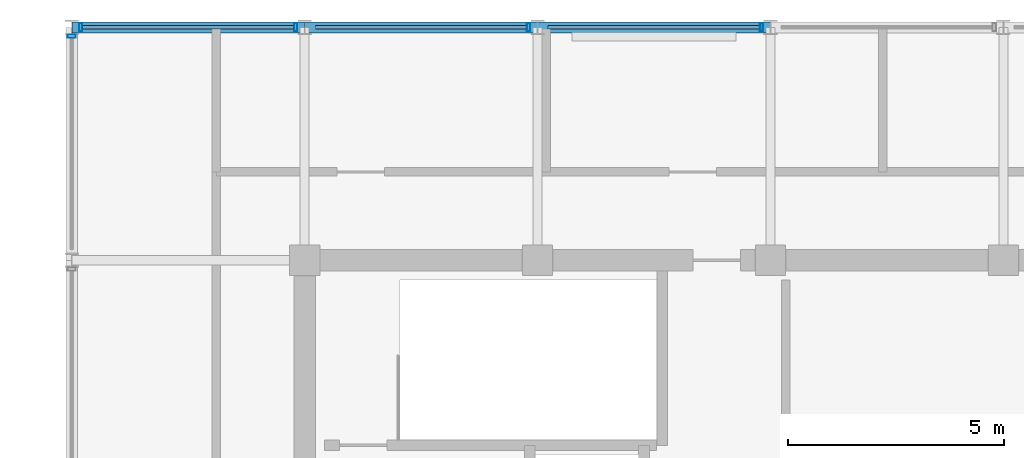
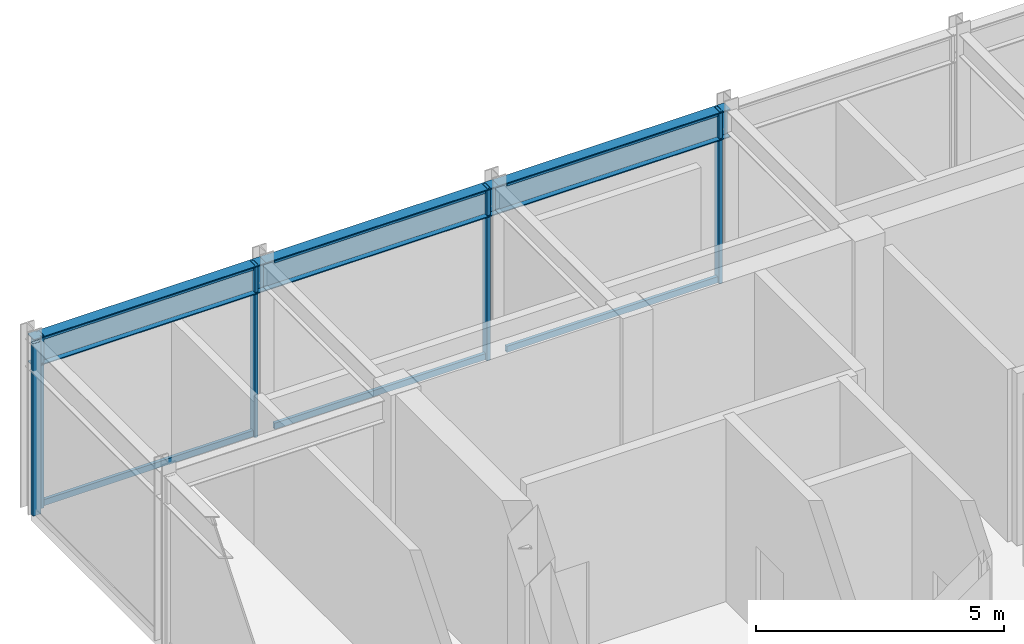
# One storey, part 12 of 18: 11 members, 3 beams, 2 elements without a shape of their own.
"""IFC4 building model written with IfcOpenShell, lengths in metres."""

from ifc_helpers import new_model, si_unit, direction, frame, origin, origin_2d, place, context, subcontext, project, spatial, hollow_rectangle, i_section, extrude, material, layer, layer_set, material_profile, profile_set, type_object, element, aggregate, save


model = new_model("IFC4")

# Units and contexts
model_context = context("Model", 3, precision=1e-05, world=origin(), true_north=direction((0.0, 1.0)))
body_context = subcontext(model_context, "Body", "Model", "MODEL_VIEW")
ifc_project = project(units=[si_unit("LENGTHUNIT", "METRE"), si_unit("AREAUNIT", "SQUARE_METRE"), si_unit("VOLUMEUNIT", "CUBIC_METRE"), si_unit("PLANEANGLEUNIT", "RADIAN"), si_unit("MASSUNIT", "GRAM", prefix="KILO")], contexts=[model_context])

# Site, building, storey
site_placement = place(None, origin())
site = spatial("IfcSite", under=ifc_project, at=site_placement, CompositionType="ELEMENT")
building_placement = place(site_placement, origin())
building = spatial("IfcBuilding", under=site, at=building_placement, Name="Surkhivell Harbour Commons", CompositionType="ELEMENT")
storey_placement = place(building_placement, frame((0.0, 0.0, 360.0)))
storey = spatial("IfcBuildingStorey", under=building, at=storey_placement, Name="L93", CompositionType="ELEMENT", Elevation=360.0)

# Beams
ifc_material_1 = material(Name="Steel S355", Category="steel")
ifc_material_profile_1 = material_profile(ifc_material_1, i_section(OverallWidth=0.256103515625, OverallDepth=0.693115234375, WebThickness=0.014404296875, FlangeThickness=0.023681640625, at=origin_2d()), Name="UB686x254x170")
ifc_profile_set_1 = profile_set([ifc_material_profile_1], Name="Steel S355")
beam_type = type_object("IfcBeamType", Name="BM-SPN-686", PredefinedType="SPANDREL", material=ifc_profile_set_1)
beam_1_placement = place(storey_placement, frame((-16.199951171875, 16.199951171875, 3.8935546875), z_axis=(1.0, 0.0, 0.0), x_axis=(0.0, 1.0, 0.0)))
element("IfcBeam", 1, at=beam_1_placement, inside=storey, type_object=beam_type, Name="L93 Tube Spandrel (-16.2,16.2)", PredefinedType="SPANDREL", context=body_context, shape_type="SweptSolid", body=[
    extrude(i_section(OverallWidth=0.256103515625, OverallDepth=0.693115234375, WebThickness=0.014404296875, FlangeThickness=0.023681640625, at=origin_2d()), origin(), (0.0, 0.0, 1.0), 5.39990234375),
])
beam_2_placement = place(storey_placement, frame((-10.800048828125, 16.199951171875, 3.8935546875), z_axis=(1.0, 0.0, 0.0), x_axis=(0.0, 1.0, 0.0)))
element("IfcBeam", 2, at=beam_2_placement, inside=storey, type_object=beam_type, Name="L93 Tube Spandrel (-10.8,16.2)", PredefinedType="SPANDREL", context=body_context, shape_type="SweptSolid", body=[
    extrude(i_section(OverallWidth=0.256103515625, OverallDepth=0.693115234375, WebThickness=0.014404296875, FlangeThickness=0.023681640625, at=origin_2d()), origin(), (0.0, 0.0, 1.0), 5.400146484375),
])
beam_3_placement = place(storey_placement, frame((-5.39990234375, 16.199951171875, 3.8935546875), z_axis=(1.0, 0.0, 0.0), x_axis=(0.0, 1.0, 0.0)))
element("IfcBeam", 3, at=beam_3_placement, inside=storey, type_object=beam_type, Name="L93 Tube Spandrel (-5.4,16.2)", PredefinedType="SPANDREL", context=body_context, shape_type="SweptSolid", body=[
    extrude(i_section(OverallWidth=0.256103515625, OverallDepth=0.693115234375, WebThickness=0.014404296875, FlangeThickness=0.023681640625, at=origin_2d()), origin(), (0.0, 0.0, 1.0), 5.39990234375),
])

# Curtain wall, members
ifc_material_2 = material(Name="Anodised pale-metal aluminium and insulated glazing", Category="aluminium")
ifc_layer = layer(ifc_material_2, 0.22998046875)
ifc_layer_set = layer_set([ifc_layer], Name="Anodised pale-metal aluminium and insulated glazing")
curtain_wall_type = type_object("IfcCurtainWallType", Name="CW-SYS-CRN", PredefinedType="NOTDEFINED", material=ifc_layer_set)
curtain_wall_1_placement = place(storey_placement, origin())
curtain_wall_1 = element("IfcCurtainWall", 4, at=curtain_wall_1_placement, inside=storey, type_object=curtain_wall_type, Name="L93 Curtain Wall CW-L93-C02", PredefinedType="NOTDEFINED")
ifc_material_3 = material(Name="Anodised pale-metal aluminium alloy 6063-T6", Category="aluminium")
ifc_material_profile_2 = material_profile(ifc_material_3, hollow_rectangle(XDim=0.074951171875, YDim=0.18994140625, WallThickness=0.00390625, at=origin_2d()), Name="ALU-MULL-75x190")
ifc_profile_set_2 = profile_set([ifc_material_profile_2], Name="Anodised pale-metal aluminium alloy 6063-T6")
member_type_1 = type_object("IfcMemberType", Name="CWM-190", PredefinedType="MULLION", material=ifc_profile_set_2)
member_1_placement = place(storey_placement, frame((-0.20947265625, 16.199951171875, 0.0), z_axis=(0.0, 0.0, 1.0), x_axis=(-1.0, 0.0, 0.0)))
member_1 = element("IfcMember", 5, at=member_1_placement, type_object=member_type_1, Name="CW-CRN mullion 3", PredefinedType="MULLION", context=body_context, shape_type="SweptSolid", body=[
    extrude(hollow_rectangle(XDim=0.074951171875, YDim=0.18994140625, WallThickness=0.00390625, at=origin_2d()), origin(), (0.0, 0.0, 1.0), 4.239990234375),
])
member_2_placement = place(storey_placement, frame((-5.609619140625, 16.199951171875, 0.0), z_axis=(0.0, 0.0, 1.0), x_axis=(-1.0, 0.0, 0.0)))
member_2 = element("IfcMember", 6, at=member_2_placement, type_object=member_type_1, Name="CW-CRN mullion 4", PredefinedType="MULLION", context=body_context, shape_type="SweptSolid", body=[
    extrude(hollow_rectangle(XDim=0.074951171875, YDim=0.18994140625, WallThickness=0.00390625, at=origin_2d()), origin(), (0.0, 0.0, 1.0), 4.239990234375),
])
member_3_placement = place(storey_placement, frame((-11.009521484375, 16.199951171875, 0.0), z_axis=(0.0, 0.0, 1.0), x_axis=(-1.0, 0.0, 0.0)))
member_3 = element("IfcMember", 7, at=member_3_placement, type_object=member_type_1, Name="CW-CRN mullion 5", PredefinedType="MULLION", context=body_context, shape_type="SweptSolid", body=[
    extrude(hollow_rectangle(XDim=0.074951171875, YDim=0.18994140625, WallThickness=0.00390625, at=origin_2d()), origin(), (0.0, 0.0, 1.0), 4.239990234375),
])
member_4_placement = place(storey_placement, frame((-15.990478515625, 16.199951171875, 0.0), z_axis=(0.0, 0.0, 1.0), x_axis=(-1.0, 0.0, 0.0)))
member_4 = element("IfcMember", 8, at=member_4_placement, type_object=member_type_1, Name="CW-CRN mullion 6", PredefinedType="MULLION", context=body_context, shape_type="SweptSolid", body=[
    extrude(hollow_rectangle(XDim=0.074951171875, YDim=0.18994140625, WallThickness=0.00390625, at=origin_2d()), origin(), (0.0, 0.0, 1.0), 4.239990234375),
])

# Curtain wall, member
curtain_wall_2_placement = place(storey_placement, origin())
curtain_wall_2 = element("IfcCurtainWall", 9, at=curtain_wall_2_placement, inside=storey, type_object=curtain_wall_type, Name="L93 Curtain Wall CW-L93-C03S1", PredefinedType="NOTDEFINED")
member_5_placement = place(storey_placement, frame((-16.199951171875, 15.990478515625, 0.0), z_axis=(0.0, 0.0, 1.0), x_axis=(0.0, -1.0, 0.0)))
member_5 = element("IfcMember", 10, at=member_5_placement, type_object=member_type_1, Name="CW-CRN mullion 1", PredefinedType="MULLION", context=body_context, shape_type="SweptSolid", body=[
    extrude(hollow_rectangle(XDim=0.074951171875, YDim=0.18994140625, WallThickness=0.00390625, at=origin_2d()), origin(), (0.0, 0.0, 1.0), 4.239990234375),
])
aggregate(curtain_wall_2, [member_5])

# Member
ifc_material_profile_3 = material_profile(ifc_material_3, hollow_rectangle(XDim=0.074951171875, YDim=0.14990234375, WallThickness=0.00341796875, at=origin_2d()), Name="ALU-TRAN-75x150")
ifc_profile_set_3 = profile_set([ifc_material_profile_3], Name="Anodised pale-metal aluminium alloy 6063-T6")
member_type_2 = type_object("IfcMemberType", Name="CWT-150", PredefinedType="USERDEFINED", material=ifc_profile_set_3)
member_6_placement = place(storey_placement, frame((-0.2470703125, 16.199951171875, 0.074951171875), z_axis=(-1.0, 0.0, 0.0), x_axis=(0.0, -1.0, 0.0)))
member_6 = element("IfcMember", 11, at=member_6_placement, type_object=member_type_2, Name="CW-CRN transom 3.1", ObjectType="TRANSOM", PredefinedType="USERDEFINED", context=body_context, shape_type="SweptSolid", body=[
    extrude(hollow_rectangle(XDim=0.074951171875, YDim=0.14990234375, WallThickness=0.00341796875, at=origin_2d()), origin(), (0.0, 0.0, 1.0), 4.906005859375),
])

member_7_placement = place(storey_placement, frame((-0.2470703125, 16.199951171875, 4.1650390625), z_axis=(-1.0, 0.0, 0.0), x_axis=(0.0, -1.0, 0.0)))
member_7 = element("IfcMember", 12, at=member_7_placement, type_object=member_type_2, Name="CW-CRN transom 3.2", ObjectType="TRANSOM", PredefinedType="USERDEFINED", context=body_context, shape_type="SweptSolid", body=[
    extrude(hollow_rectangle(XDim=0.074951171875, YDim=0.14990234375, WallThickness=0.00341796875, at=origin_2d()), origin(), (0.0, 0.0, 1.0), 4.906005859375),
])

member_8_placement = place(storey_placement, frame((-5.64697265625, 16.199951171875, 0.074951171875), z_axis=(-1.0, 0.0, 0.0), x_axis=(0.0, -1.0, 0.0)))
member_8 = element("IfcMember", 13, at=member_8_placement, type_object=member_type_2, Name="CW-CRN transom 4.1", ObjectType="TRANSOM", PredefinedType="USERDEFINED", context=body_context, shape_type="SweptSolid", body=[
    extrude(hollow_rectangle(XDim=0.074951171875, YDim=0.14990234375, WallThickness=0.00341796875, at=origin_2d()), origin(), (0.0, 0.0, 1.0), 4.906005859375),
])

member_9_placement = place(storey_placement, frame((-5.64697265625, 16.199951171875, 4.1650390625), z_axis=(-1.0, 0.0, 0.0), x_axis=(0.0, -1.0, 0.0)))
member_9 = element("IfcMember", 14, at=member_9_placement, type_object=member_type_2, Name="CW-CRN transom 4.2", ObjectType="TRANSOM", PredefinedType="USERDEFINED", context=body_context, shape_type="SweptSolid", body=[
    extrude(hollow_rectangle(XDim=0.074951171875, YDim=0.14990234375, WallThickness=0.00341796875, at=origin_2d()), origin(), (0.0, 0.0, 1.0), 4.906005859375),
])

member_10_placement = place(storey_placement, frame((-11.047119140625, 16.199951171875, 0.074951171875), z_axis=(-1.0, 0.0, 0.0), x_axis=(0.0, -1.0, 0.0)))
member_10 = element("IfcMember", 15, at=member_10_placement, type_object=member_type_2, Name="CW-CRN transom 5.1", ObjectType="TRANSOM", PredefinedType="USERDEFINED", context=body_context, shape_type="SweptSolid", body=[
    extrude(hollow_rectangle(XDim=0.074951171875, YDim=0.14990234375, WallThickness=0.00341796875, at=origin_2d()), origin(), (0.0, 0.0, 1.0), 4.90576171875),
])

member_11_placement = place(storey_placement, frame((-11.047119140625, 16.199951171875, 4.1650390625), z_axis=(-1.0, 0.0, 0.0), x_axis=(0.0, -1.0, 0.0)))
member_11 = element("IfcMember", 16, at=member_11_placement, type_object=member_type_2, Name="CW-CRN transom 5.2", ObjectType="TRANSOM", PredefinedType="USERDEFINED", context=body_context, shape_type="SweptSolid", body=[
    extrude(hollow_rectangle(XDim=0.074951171875, YDim=0.14990234375, WallThickness=0.00341796875, at=origin_2d()), origin(), (0.0, 0.0, 1.0), 4.90576171875),
])

aggregate(curtain_wall_1, [member_1, member_6, member_7, member_2, member_8, member_9, member_3, member_4, member_10, member_11])

save(model, "model.ifc")
